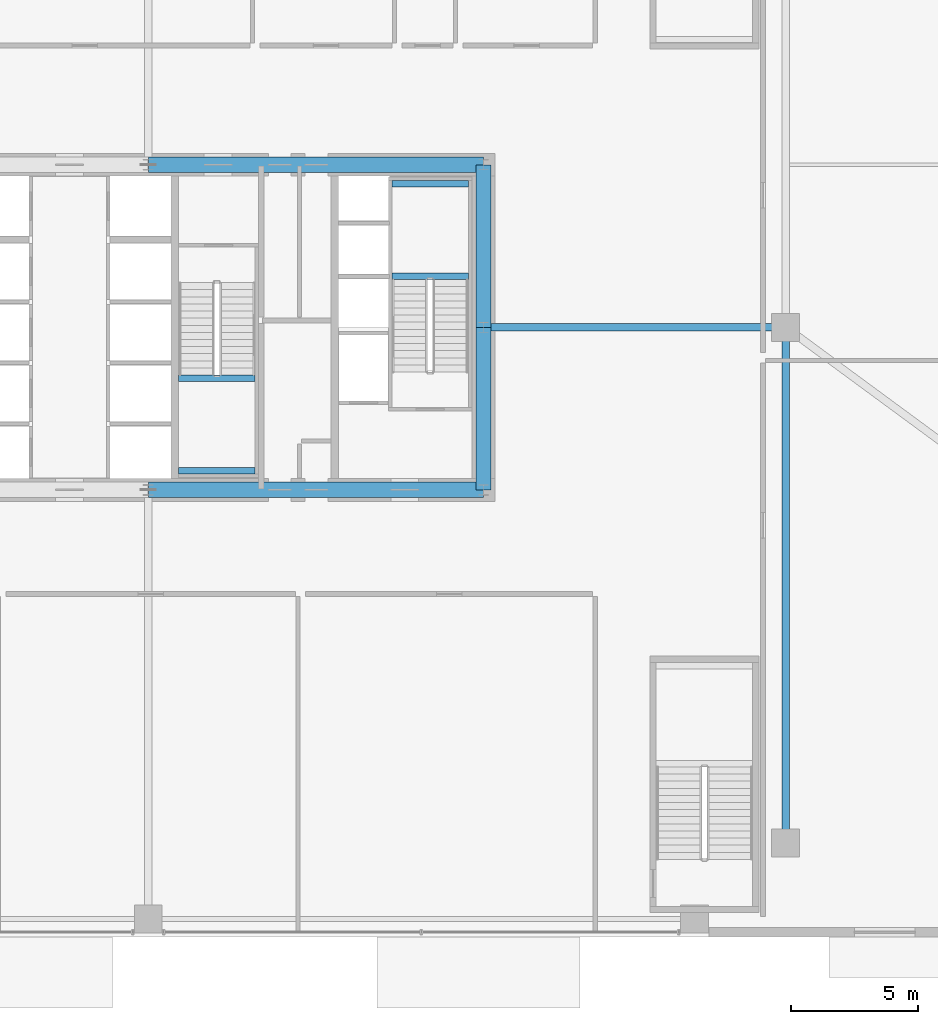
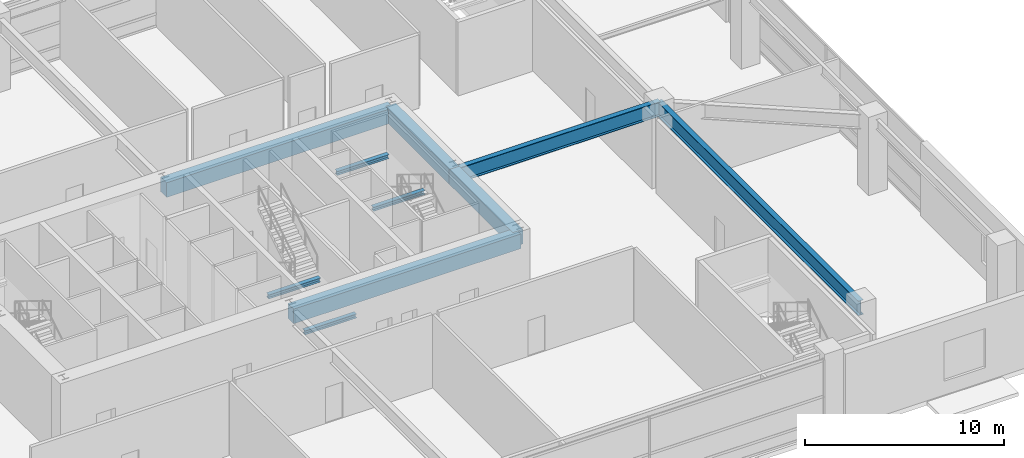
# One storey, part 14 of 37: 10 beams.
"""IFC4 building model written with IfcOpenShell, lengths in metres."""

from ifc_helpers import new_model, si_unit, direction, frame, origin, origin_2d, place, context, subcontext, project, spatial, rectangle, i_section, extrude, source, transform, mapped, material, material_profile, profile_set, type_object, element, save


model = new_model("IFC4")

# Units and contexts
model_context = context("Model", 3, precision=1e-05, world=origin(), true_north=direction((0.0, 1.0)))
body_context = subcontext(model_context, "Body", "Model", "MODEL_VIEW")
ifc_project = project(units=[si_unit("LENGTHUNIT", "METRE"), si_unit("AREAUNIT", "SQUARE_METRE"), si_unit("VOLUMEUNIT", "CUBIC_METRE"), si_unit("PLANEANGLEUNIT", "RADIAN"), si_unit("MASSUNIT", "GRAM", prefix="KILO"), si_unit("THERMODYNAMICTEMPERATUREUNIT", "KELVIN"), si_unit("POWERUNIT", "WATT")], contexts=[model_context])

# Site, building, storey
site_placement = place(None, origin())
site = spatial("IfcSite", under=ifc_project, at=site_placement, CompositionType="ELEMENT")
building_placement = place(site_placement, origin())
building = spatial("IfcBuilding", under=site, at=building_placement, Name="Yuzanri Waterfront Tower", CompositionType="ELEMENT")
storey_placement = place(building_placement, frame((0.0, 0.0, 5.39990234375)))
storey = spatial("IfcBuildingStorey", under=building, at=storey_placement, Name="L02", CompositionType="ELEMENT", Elevation=5.39990234375)

# Beams
ifc_material_1 = material(Name="Concrete C60", Category="concrete")
ifc_material_profile_1 = material_profile(ifc_material_1, rectangle(XDim=0.60009765625, YDim=0.89990234375, at=origin_2d()), Name="RC 600x900")
ifc_profile_set_1 = profile_set([ifc_material_profile_1], Name="Concrete C60")
beam_type_1 = type_object("IfcBeamType", Name="Core Coupling Lintel Concrete C60 600x900", PredefinedType="LINTEL", material=ifc_profile_set_1)
shared_shape_1 = source(origin(), body_context, "Body", "SweptSolid", [
    extrude(rectangle(XDim=0.60009765625, YDim=0.89990234375, at=origin_2d()), origin(), (0.0, 0.0, 1.0), 13.199951171875),
])
for number, where, z_axis, x_axis, name in (
    (1, (37.0, 19.39990234375, 4.070068359375), (1.0, 0.0, 0.0), (0.0, 1.0, 0.0), "L02 Core Tie Beam CS2"),
    (2, (37.0, 32.199951171875, 4.070068359375), (1.0, 0.0, 0.0), (0.0, 1.0, 0.0), "L02 Core Tie Beam CN2"),
):
    element("IfcBeam", number, at=place(storey_placement, frame(where, z_axis=z_axis, x_axis=x_axis)), inside=storey, type_object=beam_type_1, Name=name, PredefinedType="LINTEL", context=body_context, shape_type="MappedRepresentation", body=[
        mapped(shared_shape_1, transform((0.0, 0.0, 0.0), scale=1.0)),
    ])
shared_shape_2 = source(origin(), body_context, "Body", "SweptSolid", [
    extrude(rectangle(XDim=0.60009765625, YDim=0.89990234375, at=origin_2d()), origin(), (0.0, 0.0, 1.0), 6.400146484375),
])
beam_1_placement = place(storey_placement, frame((50.199951171875, 19.39990234375, 4.070068359375), z_axis=(0.0, 1.0, 0.0), x_axis=(-1.0, 0.0, 0.0)))
element("IfcBeam", 3, at=beam_1_placement, inside=storey, type_object=beam_type_1, Name="L02 Core Tie Beam CE1", PredefinedType="LINTEL", context=body_context, shape_type="MappedRepresentation", body=[
    mapped(shared_shape_2, transform((0.0, 0.0, 0.0), scale=1.0)),
])
shared_shape_3 = source(origin(), body_context, "Body", "SweptSolid", [
    extrude(rectangle(XDim=0.60009765625, YDim=0.89990234375, at=origin_2d()), origin(), (0.0, 0.0, 1.0), 6.39990234375),
])
beam_2_placement = place(storey_placement, frame((50.199951171875, 25.800048828125, 4.070068359375), z_axis=(0.0, 1.0, 0.0), x_axis=(-1.0, 0.0, 0.0)))
element("IfcBeam", 4, at=beam_2_placement, inside=storey, type_object=beam_type_1, Name="L02 Core Tie Beam CE2", PredefinedType="LINTEL", context=body_context, shape_type="MappedRepresentation", body=[
    mapped(shared_shape_3, transform((0.0, 0.0, 0.0), scale=1.0)),
])
ifc_material_2 = material(Name="Steel Q355B", Category="steel")
ifc_material_profile_2 = material_profile(ifc_material_2, i_section(OverallWidth=0.300048828125, OverallDepth=0.89990234375, WebThickness=0.01611328125, FlangeThickness=0.028076171875, at=origin_2d()), Name="HN 900x300x16x28")
ifc_profile_set_2 = profile_set([ifc_material_profile_2], Name="Steel Q355B")
beam_type_2 = type_object("IfcBeamType", Name="Primary Podium Girder Q355B HN 900x300", PredefinedType="BEAM", material=ifc_profile_set_2)
shared_shape_4 = source(origin(), body_context, "Body", "SweptSolid", [
    extrude(i_section(OverallWidth=0.300048828125, OverallDepth=0.89990234375, WebThickness=0.01611328125, FlangeThickness=0.028076171875, at=origin_2d()), origin(), (0.0, 0.0, 1.0), 11.900146484375),
])
beam_3_placement = place(storey_placement, frame((50.199951171875, 25.800048828125, 4.070068359375), z_axis=(1.0, 0.0, 0.0), x_axis=(0.0, 1.0, 0.0)))
element("IfcBeam", 5, at=beam_3_placement, inside=storey, type_object=beam_type_2, Name="L02 Podium East Girder 1", PredefinedType="BEAM", context=body_context, shape_type="MappedRepresentation", body=[
    mapped(shared_shape_4, transform((0.0, 0.0, 0.0), scale=1.0)),
])
shared_shape_5 = source(origin(), body_context, "Body", "SweptSolid", [
    extrude(i_section(OverallWidth=0.300048828125, OverallDepth=0.89990234375, WebThickness=0.01611328125, FlangeThickness=0.028076171875, at=origin_2d()), origin(), (0.0, 0.0, 1.0), 20.300048828125),
])
beam_4_placement = place(storey_placement, frame((62.10009765625, 5.5, 4.070068359375), z_axis=(0.0, 1.0, 0.0), x_axis=(-1.0, 0.0, 0.0)))
element("IfcBeam", 6, at=beam_4_placement, inside=storey, type_object=beam_type_2, Name="L02 Podium East Spine S", PredefinedType="BEAM", context=body_context, shape_type="MappedRepresentation", body=[
    mapped(shared_shape_5, transform((0.0, 0.0, 0.0), scale=1.0)),
])
ifc_material_3 = material(Name="Steel Q355B", Category="steel")
ifc_material_profile_3 = material_profile(ifc_material_3, i_section(OverallWidth=0.25, OverallDepth=0.25, WebThickness=0.009033203125, FlangeThickness=0.013916015625, at=origin_2d()), Name="HW 250x250x9x14")
ifc_profile_set_3 = profile_set([ifc_material_profile_3], Name="Steel Q355B")
beam_type_3 = type_object("IfcBeamType", Name="Stair Landing Support Beam Q355B HW 250x250", PredefinedType="BEAM", material=ifc_profile_set_3)
shared_shape_6 = source(origin(), body_context, "Body", "SweptSolid", [
    extrude(i_section(OverallWidth=0.25, OverallDepth=0.25, WebThickness=0.009033203125, FlangeThickness=0.013916015625, at=origin_2d()), origin(), (0.0, 0.0, 1.0), 3.0),
])
for number, where, z_axis, x_axis, name in (
    (7, (46.60009765625, 27.81005859375, 2.0751953125), (1.0, 0.0, 0.0), (0.0, 1.0, 0.0), "L02 Stair Landing Support Beam ST-02-L02-L1-1"),
    (8, (46.60009765625, 31.449951171875, 2.0751953125), (1.0, 0.0, 0.0), (0.0, 1.0, 0.0), "L02 Stair Landing Support Beam ST-02-L02-L1-2"),
    (9, (38.199951171875, 20.14990234375, 2.0751953125), (1.0, 0.0, 0.0), (0.0, 1.0, 0.0), "L02 Stair Landing Support Beam ST-03-L02-L1-1"),
    (10, (38.199951171875, 23.7900390625, 2.0751953125), (1.0, 0.0, 0.0), (0.0, 1.0, 0.0), "L02 Stair Landing Support Beam ST-03-L02-L1-2"),
):
    element("IfcBeam", number, at=place(storey_placement, frame(where, z_axis=z_axis, x_axis=x_axis)), inside=storey, type_object=beam_type_3, Name=name, PredefinedType="BEAM", context=body_context, shape_type="MappedRepresentation", body=[
        mapped(shared_shape_6, transform((0.0, 0.0, 0.0), scale=1.0)),
    ])

save(model, "model.ifc")
